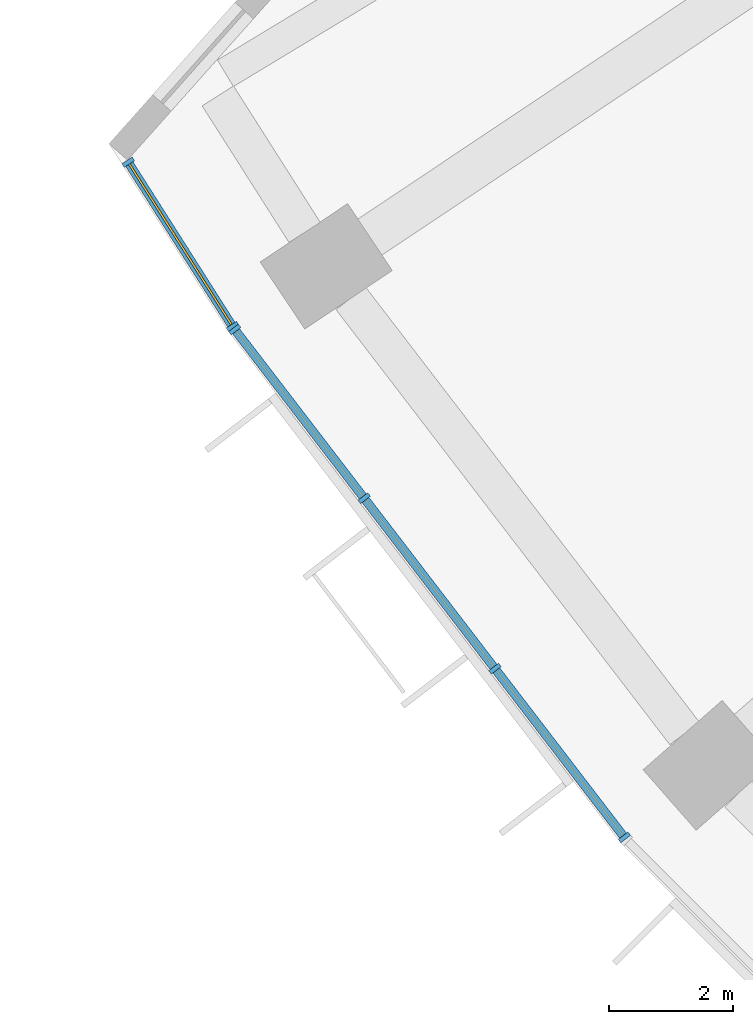
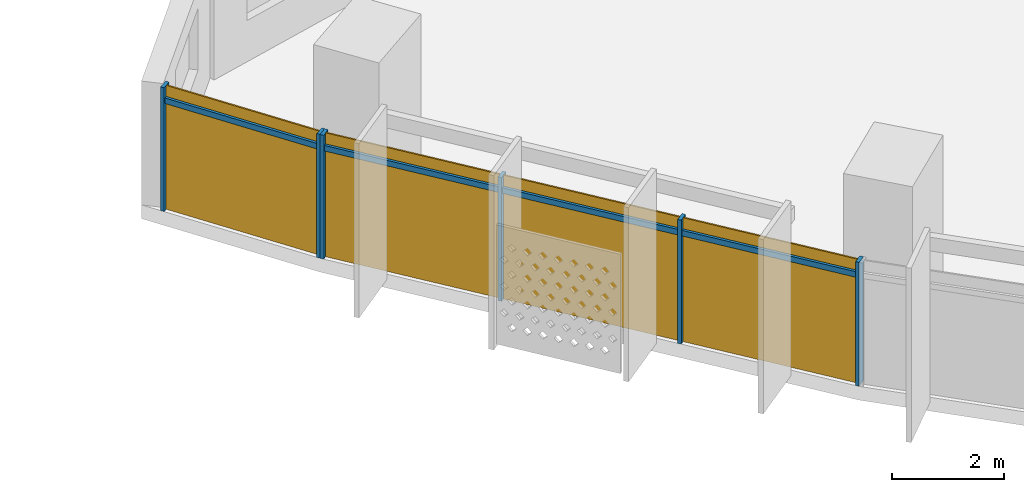
# One storey, part 20 of 31: 10 members, 2 curtain walls.
"""IFC4 building model written with IfcOpenShell, lengths in metres."""

from ifc_helpers import new_model, si_unit, direction, frame, origin, origin_2d, place, context, subcontext, project, spatial, rectangle, extrude, material, material_profile, profile_set, type_object, element, aggregate, save


model = new_model("IFC4")

# Units and contexts
model_context = context("Model", 3, precision=1e-05, world=origin(), true_north=direction((0.0, 1.0)))
body_context = subcontext(model_context, "Body", "Model", "MODEL_VIEW")
ifc_project = project(units=[si_unit("LENGTHUNIT", "METRE"), si_unit("AREAUNIT", "SQUARE_METRE"), si_unit("VOLUMEUNIT", "CUBIC_METRE"), si_unit("PLANEANGLEUNIT", "RADIAN"), si_unit("MASSUNIT", "GRAM", prefix="KILO")], contexts=[model_context])

# Member
ifc_material = material(Name="Aluminium 6063-T6 anodised", Category="aluminium")
ifc_material_profile_1 = material_profile(ifc_material, rectangle(XDim=0.199951171875, YDim=0.070068359375, at=origin_2d()))
ifc_profile_set_1 = profile_set([ifc_material_profile_1], Name="Aluminium 6063-T6 anodised")
member_type_1 = type_object("IfcMemberType", Name="Mullion 70 x 200 aluminium", PredefinedType="MULLION", material=ifc_profile_set_1)
site_placement = place(None, origin())
building_placement = place(site_placement, origin())
storey_placement = place(building_placement, frame((0.0, 0.0, 82.300048828125)))
member_1_placement = place(storey_placement, frame((-67.848876953125, -41.513671875, 0.0), z_axis=(0.0, 0.0, 1.0), x_axis=(0.84381442189, 0.536635091482, 0.0)))
member_1 = element("IfcMember", 1, at=member_1_placement, type_object=member_type_1, Name="e-cw1-L17-out00/M00", PredefinedType="MULLION", context=body_context, shape_type="SweptSolid", body=[
    extrude(rectangle(XDim=0.199951171875, YDim=0.070068359375, at=origin_2d()), origin(), (0.0, 0.0, 1.0), 2.699951171875),
])

member_2_placement = place(storey_placement, frame((-66.160888671875, -44.16796875, 0.0), z_axis=(0.0, 0.0, 1.0), x_axis=(0.84381442189, 0.536635091482, 0.0)))
member_2 = element("IfcMember", 2, at=member_2_placement, type_object=member_type_1, Name="e-cw1-L17-out00/M01", PredefinedType="MULLION", context=body_context, shape_type="SweptSolid", body=[
    extrude(rectangle(XDim=0.199951171875, YDim=0.070068359375, at=origin_2d()), origin(), (0.0, 0.0, 1.0), 2.699951171875),
])

member_3_placement = place(storey_placement, frame((-66.1259765625, -44.218017578125, 0.0), z_axis=(0.0, 0.0, 1.0), x_axis=(0.793353340291, 0.608761429009, 0.0)))
member_3 = element("IfcMember", 3, at=member_3_placement, type_object=member_type_1, Name="e-cw1-L17-out01/M00", PredefinedType="MULLION", context=body_context, shape_type="SweptSolid", body=[
    extrude(rectangle(XDim=0.199951171875, YDim=0.070068359375, at=origin_2d()), origin(), (0.0, 0.0, 1.0), 2.699951171875),
])

member_4_placement = place(storey_placement, frame((-64.032958984375, -46.945556640625, 0.0), z_axis=(0.0, 0.0, 1.0), x_axis=(0.793353340291, 0.608761429009, 0.0)))
member_4 = element("IfcMember", 4, at=member_4_placement, type_object=member_type_1, Name="e-cw1-L17-out01/M01", PredefinedType="MULLION", context=body_context, shape_type="SweptSolid", body=[
    extrude(rectangle(XDim=0.199951171875, YDim=0.070068359375, at=origin_2d()), origin(), (0.0, 0.0, 1.0), 2.699951171875),
])

member_5_placement = place(storey_placement, frame((-61.9189453125, -49.70068359375, 0.0), z_axis=(0.0, 0.0, 1.0), x_axis=(0.793353340291, 0.608761429009, 0.0)))
member_5 = element("IfcMember", 5, at=member_5_placement, type_object=member_type_1, Name="e-cw1-L17-out01/M02", PredefinedType="MULLION", context=body_context, shape_type="SweptSolid", body=[
    extrude(rectangle(XDim=0.199951171875, YDim=0.070068359375, at=origin_2d()), origin(), (0.0, 0.0, 1.0), 2.699951171875),
])

member_6_placement = place(storey_placement, frame((-59.825927734375, -52.42822265625, 0.0), z_axis=(0.0, 0.0, 1.0), x_axis=(0.793353340291, 0.608761429009, 0.0)))
member_6 = element("IfcMember", 6, at=member_6_placement, type_object=member_type_1, Name="e-cw1-L17-out01/M03", PredefinedType="MULLION", context=body_context, shape_type="SweptSolid", body=[
    extrude(rectangle(XDim=0.199951171875, YDim=0.070068359375, at=origin_2d()), origin(), (0.0, 0.0, 1.0), 2.699951171875),
])

ifc_material_profile_2 = material_profile(ifc_material, rectangle(XDim=0.139892578125, YDim=0.1201171875, at=origin_2d()))
ifc_profile_set_2 = profile_set([ifc_material_profile_2], Name="Aluminium 6063-T6 anodised")
member_type_2 = type_object("IfcMemberType", Name="Transom 120 x 140 aluminium", PredefinedType="USERDEFINED", material=ifc_profile_set_2)
member_7_placement = place(storey_placement, frame((-67.830078125, -41.543212890625, 2.39990234375), z_axis=(0.536618644959, -0.843824881052, 0.0), x_axis=(0.843824881052, 0.536618644959, 0.0)))
member_7 = element("IfcMember", 7, at=member_7_placement, type_object=member_type_2, Name="e-cw1-L17-out00/T00", ObjectType="TRANSOM", PredefinedType="USERDEFINED", context=body_context, shape_type="SweptSolid", body=[
    extrude(rectangle(XDim=0.139892578125, YDim=0.1201171875, at=origin_2d()), origin(), (0.0, 0.0, 1.0), 3.075439453125),
])

member_8_placement = place(storey_placement, frame((-66.1044921875, -44.245849609375, 2.39990234375), z_axis=(0.608732839803, -0.793375276742, 0.0), x_axis=(0.793375276742, 0.608732839803, 0.0)))
member_8 = element("IfcMember", 8, at=member_8_placement, type_object=member_type_2, Name="e-cw1-L17-out01/T00", ObjectType="TRANSOM", PredefinedType="USERDEFINED", context=body_context, shape_type="SweptSolid", body=[
    extrude(rectangle(XDim=0.139892578125, YDim=0.1201171875, at=origin_2d()), origin(), (0.0, 0.0, 1.0), 3.36767578125),
])

member_9_placement = place(storey_placement, frame((-64.01171875, -46.973388671875, 2.39990234375), z_axis=(0.60875683052, -0.793356868815, 0.0), x_axis=(0.793356868815, 0.60875683052, 0.0)))
member_9 = element("IfcMember", 9, at=member_9_placement, type_object=member_type_2, Name="e-cw1-L17-out01/T01", ObjectType="TRANSOM", PredefinedType="USERDEFINED", context=body_context, shape_type="SweptSolid", body=[
    extrude(rectangle(XDim=0.139892578125, YDim=0.1201171875, at=origin_2d()), origin(), (0.0, 0.0, 1.0), 3.40283203125),
])

member_10_placement = place(storey_placement, frame((-61.8974609375, -49.728515625, 2.39990234375), z_axis=(0.608732839803, -0.793375276742, 0.0), x_axis=(0.793375276742, 0.608732839803, 0.0)))
member_10 = element("IfcMember", 10, at=member_10_placement, type_object=member_type_2, Name="e-cw1-L17-out01/T02", ObjectType="TRANSOM", PredefinedType="USERDEFINED", context=body_context, shape_type="SweptSolid", body=[
    extrude(rectangle(XDim=0.139892578125, YDim=0.1201171875, at=origin_2d()), origin(), (0.0, 0.0, 1.0), 3.36767578125),
])

# Site, building, storey
site = spatial("IfcSite", under=ifc_project, at=site_placement, CompositionType="ELEMENT")
building = spatial("IfcBuilding", under=site, at=building_placement, Name="Qamariyya Broadcast Tower", CompositionType="ELEMENT")
storey = spatial("IfcBuildingStorey", under=building, at=storey_placement, Name="L17", CompositionType="ELEMENT", Elevation=82.300048828125)

# Curtain wall
curtain_wall_type = type_object("IfcCurtainWallType", Name="Unitised curtain wall, anodised aluminium", PredefinedType="NOTDEFINED", material=ifc_material)
curtain_wall_1_placement = place(storey_placement, origin())
curtain_wall_1 = element("IfcCurtainWall", 11, at=curtain_wall_1_placement, inside=storey, type_object=curtain_wall_type, Name="e-cw1-L17-out00", PredefinedType="NOTDEFINED", context=body_context, shape_type="SweptSolid", body=[
    extrude(rectangle(XDim=3.07568359375, YDim=0.031982421875, at=origin_2d()), frame((-67.0048828125, -42.8408203125, 0.0), x_axis=(0.536629833424, -0.8438177658, 0.0)), (0.0, 0.0, 1.0), 2.340087890625),
    extrude(rectangle(XDim=3.07568359375, YDim=0.031982421875, at=origin_2d()), frame((-67.0048828125, -42.8408203125, 2.4599609375), x_axis=(0.536629833424, -0.8438177658, 0.0)), (0.0, 0.0, 1.0), 0.239990234375),
])

aggregate(curtain_wall_1, [member_1, member_2, member_7])

curtain_wall_2_placement = place(storey_placement, origin())
curtain_wall_2 = element("IfcCurtainWall", 12, at=curtain_wall_2_placement, inside=storey, type_object=curtain_wall_type, Name="e-cw1-L17-out01", PredefinedType="NOTDEFINED", context=body_context, shape_type="SweptSolid", body=[
    extrude(rectangle(XDim=3.367919921875, YDim=0.031982421875, at=origin_2d()), frame((-65.07958984375, -45.581787109375, 0.0), x_axis=(0.608755679475, -0.79335775203, 0.0)), (0.0, 0.0, 1.0), 2.340087890625),
    extrude(rectangle(XDim=3.367919921875, YDim=0.031982421875, at=origin_2d()), frame((-65.07958984375, -45.581787109375, 2.4599609375), x_axis=(0.608755679475, -0.79335775203, 0.0)), (0.0, 0.0, 1.0), 0.239990234375),
    extrude(rectangle(XDim=3.40283203125, YDim=0.031982421875, at=origin_2d()), frame((-62.97607421875, -48.3232421875, 0.0), x_axis=(0.608755679475, -0.79335775203, 0.0)), (0.0, 0.0, 1.0), 2.340087890625),
    extrude(rectangle(XDim=3.40283203125, YDim=0.031982421875, at=origin_2d()), frame((-62.97607421875, -48.3232421875, 2.4599609375), x_axis=(0.608755679475, -0.79335775203, 0.0)), (0.0, 0.0, 1.0), 0.239990234375),
    extrude(rectangle(XDim=3.367919921875, YDim=0.031982421875, at=origin_2d()), frame((-60.872314453125, -51.064453125, 0.0), x_axis=(0.608755679475, -0.79335775203, 0.0)), (0.0, 0.0, 1.0), 2.340087890625),
    extrude(rectangle(XDim=3.367919921875, YDim=0.031982421875, at=origin_2d()), frame((-60.872314453125, -51.064453125, 2.4599609375), x_axis=(0.608755679475, -0.79335775203, 0.0)), (0.0, 0.0, 1.0), 0.239990234375),
])

aggregate(curtain_wall_2, [member_3, member_4, member_5, member_6, member_8, member_9, member_10])

save(model, "model.ifc")
